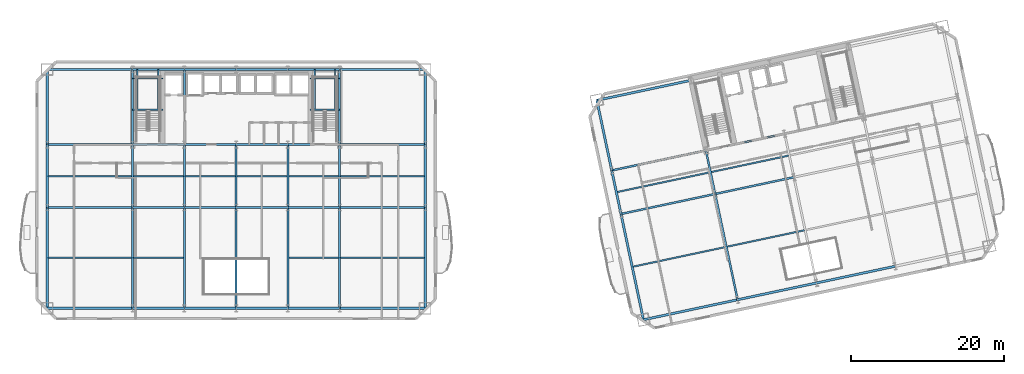
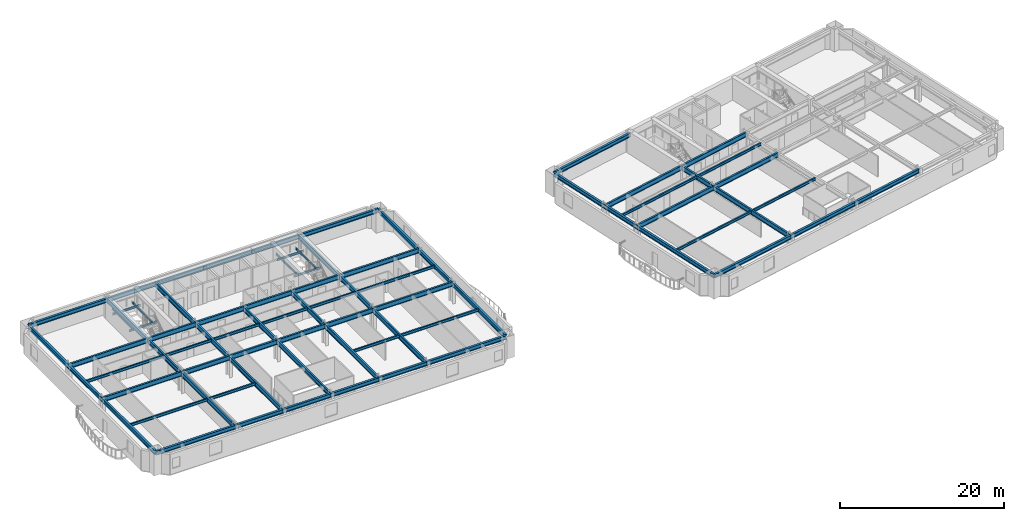
# One storey, part 3 of 15: 78 beams.
"""IFC4 building model written with IfcOpenShell, lengths in metres."""

from ifc_helpers import new_model, si_unit, direction, frame, origin, origin_2d, place, context, subcontext, project, spatial, i_section, extrude, material, material_profile, profile_set, type_object, element, save


model = new_model("IFC4")

# Units and contexts
model_context = context("Model", 3, precision=1e-05, world=origin(), true_north=direction((0.0, 1.0)))
body_context = subcontext(model_context, "Body", "Model", "MODEL_VIEW")
ifc_project = project(units=[si_unit("LENGTHUNIT", "METRE"), si_unit("AREAUNIT", "SQUARE_METRE"), si_unit("VOLUMEUNIT", "CUBIC_METRE"), si_unit("PLANEANGLEUNIT", "RADIAN"), si_unit("MASSUNIT", "GRAM", prefix="KILO")], contexts=[model_context])

# Site, building, storey
site_placement = place(None, origin())
site = spatial("IfcSite", under=ifc_project, at=site_placement, CompositionType="ELEMENT")
building_placement = place(site_placement, origin())
building = spatial("IfcBuilding", under=site, at=building_placement, Name="Haevon Station Towers", CompositionType="ELEMENT")
storey_placement = place(building_placement, frame((0.0, 0.0, 63.60009765625)))
storey = spatial("IfcBuildingStorey", under=building, at=storey_placement, Name="L16", CompositionType="ELEMENT", Elevation=63.60009765625)

# Beams
ifc_material = material(Name="Steel S355", Category="steel")
ifc_material_profile_1 = material_profile(ifc_material, i_section(OverallWidth=0.25, OverallDepth=0.699951171875, WebThickness=0.012939453125, FlangeThickness=0.02392578125, at=origin_2d()), Name="H-700x250x13x24")
ifc_profile_set_1 = profile_set([ifc_material_profile_1], Name="Steel S355")
beam_type_1 = type_object("IfcBeamType", Name="BM-G700", PredefinedType="BEAM", material=ifc_profile_set_1)
beam_1_placement = place(storey_placement, frame((12.85009765625, 30.0, 2.699951171875), z_axis=(1.0, 0.0, 0.0), x_axis=(0.0, 1.0, 0.0)))
element("IfcBeam", 1, at=beam_1_placement, inside=storey, type_object=beam_type_1, Name="BM-T1U-L16-02-01", PredefinedType="BEAM", context=body_context, shape_type="SweptSolid", body=[
    extrude(i_section(OverallWidth=0.25, OverallDepth=0.699951171875, WebThickness=0.012939453125, FlangeThickness=0.02392578125, at=origin_2d()), origin(), (0.0, 0.0, 1.0), 11.14990234375),
])
for number, where, z_axis, x_axis, name in (
    (2, (24.0, 30.0, 2.699951171875), (1.0, 0.0, 0.0), (0.0, 1.0, 0.0), "BM-T1U-L16-02-02"),
    (3, (30.75, 30.0, 2.699951171875), (1.0, 0.0, 0.0), (0.0, 1.0, 0.0), "BM-T1U-L16-02-03"),
    (4, (37.5, 30.0, 2.699951171875), (1.0, 0.0, 0.0), (0.0, 1.0, 0.0), "BM-T1U-L16-02-04"),
    (5, (44.25, 30.0, 2.699951171875), (1.0, 0.0, 0.0), (0.0, 1.0, 0.0), "BM-T1U-L16-02-05"),
):
    element("IfcBeam", number, at=place(storey_placement, frame(where, z_axis=z_axis, x_axis=x_axis)), inside=storey, type_object=beam_type_1, Name=name, PredefinedType="BEAM", context=body_context, shape_type="SweptSolid", body=[
        extrude(i_section(OverallWidth=0.25, OverallDepth=0.699951171875, WebThickness=0.012939453125, FlangeThickness=0.02392578125, at=origin_2d()), origin(), (0.0, 0.0, 1.0), 6.75),
    ])
for number, where, z_axis, x_axis, name in (
    (6, (51.0, 30.0, 2.699951171875), (1.0, 0.0, 0.0), (0.0, 1.0, 0.0), "BM-T1U-L16-02-06"),
    (7, (12.85009765625, 38.199951171875, 2.699951171875), (1.0, 0.0, 0.0), (0.0, 1.0, 0.0), "BM-T1U-L16-03-01"),
):
    element("IfcBeam", number, at=place(storey_placement, frame(where, z_axis=z_axis, x_axis=x_axis)), inside=storey, type_object=beam_type_1, Name=name, PredefinedType="BEAM", context=body_context, shape_type="SweptSolid", body=[
        extrude(i_section(OverallWidth=0.25, OverallDepth=0.699951171875, WebThickness=0.012939453125, FlangeThickness=0.02392578125, at=origin_2d()), origin(), (0.0, 0.0, 1.0), 11.14990234375),
    ])
for number, where, z_axis, x_axis, name in (
    (8, (24.0, 38.199951171875, 2.699951171875), (1.0, 0.0, 0.0), (0.0, 1.0, 0.0), "BM-T1U-L16-03-02"),
    (9, (30.75, 38.199951171875, 2.699951171875), (1.0, 0.0, 0.0), (0.0, 1.0, 0.0), "BM-T1U-L16-03-03"),
    (10, (37.5, 38.199951171875, 2.699951171875), (1.0, 0.0, 0.0), (0.0, 1.0, 0.0), "BM-T1U-L16-03-04"),
    (11, (44.25, 38.199951171875, 2.699951171875), (1.0, 0.0, 0.0), (0.0, 1.0, 0.0), "BM-T1U-L16-03-05"),
):
    element("IfcBeam", number, at=place(storey_placement, frame(where, z_axis=z_axis, x_axis=x_axis)), inside=storey, type_object=beam_type_1, Name=name, PredefinedType="BEAM", context=body_context, shape_type="SweptSolid", body=[
        extrude(i_section(OverallWidth=0.25, OverallDepth=0.699951171875, WebThickness=0.012939453125, FlangeThickness=0.02392578125, at=origin_2d()), origin(), (0.0, 0.0, 1.0), 6.75),
    ])
beam_2_placement = place(storey_placement, frame((51.0, 38.199951171875, 2.699951171875), z_axis=(1.0, 0.0, 0.0), x_axis=(0.0, 1.0, 0.0)))
element("IfcBeam", 12, at=beam_2_placement, inside=storey, type_object=beam_type_1, Name="BM-T1U-L16-03-06", PredefinedType="BEAM", context=body_context, shape_type="SweptSolid", body=[
    extrude(i_section(OverallWidth=0.25, OverallDepth=0.699951171875, WebThickness=0.012939453125, FlangeThickness=0.02392578125, at=origin_2d()), origin(), (0.0, 0.0, 1.0), 11.14990234375),
])
beam_3_placement = place(storey_placement, frame((24.0, 16.85009765625, 2.699951171875), z_axis=(0.0, 1.0, 0.0), x_axis=(-1.0, 0.0, 0.0)))
element("IfcBeam", 13, at=beam_3_placement, inside=storey, type_object=beam_type_1, Name="BM-T1V-L16-02-01", PredefinedType="BEAM", context=body_context, shape_type="SweptSolid", body=[
    extrude(i_section(OverallWidth=0.25, OverallDepth=0.699951171875, WebThickness=0.012939453125, FlangeThickness=0.02392578125, at=origin_2d()), origin(), (0.0, 0.0, 1.0), 13.14990234375),
])
beam_4_placement = place(storey_placement, frame((24.0, 30.0, 2.699951171875), z_axis=(0.0, 1.0, 0.0), x_axis=(-1.0, 0.0, 0.0)))
element("IfcBeam", 14, at=beam_4_placement, inside=storey, type_object=beam_type_1, Name="BM-T1V-L16-02-02", PredefinedType="BEAM", context=body_context, shape_type="SweptSolid", body=[
    extrude(i_section(OverallWidth=0.25, OverallDepth=0.699951171875, WebThickness=0.012939453125, FlangeThickness=0.02392578125, at=origin_2d()), origin(), (0.0, 0.0, 1.0), 8.199951171875),
])
beam_5_placement = place(storey_placement, frame((24.0, 38.199951171875, 2.699951171875), z_axis=(0.0, 1.0, 0.0), x_axis=(-1.0, 0.0, 0.0)))
element("IfcBeam", 15, at=beam_5_placement, inside=storey, type_object=beam_type_1, Name="BM-T1V-L16-02-03", PredefinedType="BEAM", context=body_context, shape_type="SweptSolid", body=[
    extrude(i_section(OverallWidth=0.25, OverallDepth=0.699951171875, WebThickness=0.012939453125, FlangeThickness=0.02392578125, at=origin_2d()), origin(), (0.0, 0.0, 1.0), 9.800048828125),
])
beam_6_placement = place(storey_placement, frame((30.75, 16.85009765625, 2.699951171875), z_axis=(0.0, 1.0, 0.0), x_axis=(-1.0, 0.0, 0.0)))
element("IfcBeam", 16, at=beam_6_placement, inside=storey, type_object=beam_type_1, Name="BM-T1V-L16-03-01", PredefinedType="BEAM", context=body_context, shape_type="SweptSolid", body=[
    extrude(i_section(OverallWidth=0.25, OverallDepth=0.699951171875, WebThickness=0.012939453125, FlangeThickness=0.02392578125, at=origin_2d()), origin(), (0.0, 0.0, 1.0), 13.14990234375),
])
beam_7_placement = place(storey_placement, frame((30.75, 30.0, 2.699951171875), z_axis=(0.0, 1.0, 0.0), x_axis=(-1.0, 0.0, 0.0)))
element("IfcBeam", 17, at=beam_7_placement, inside=storey, type_object=beam_type_1, Name="BM-T1V-L16-03-02", PredefinedType="BEAM", context=body_context, shape_type="SweptSolid", body=[
    extrude(i_section(OverallWidth=0.25, OverallDepth=0.699951171875, WebThickness=0.012939453125, FlangeThickness=0.02392578125, at=origin_2d()), origin(), (0.0, 0.0, 1.0), 8.199951171875),
])
beam_8_placement = place(storey_placement, frame((30.75, 38.199951171875, 2.699951171875), z_axis=(0.0, 1.0, 0.0), x_axis=(-1.0, 0.0, 0.0)))
element("IfcBeam", 18, at=beam_8_placement, inside=storey, type_object=beam_type_1, Name="BM-T1V-L16-03-03", PredefinedType="BEAM", context=body_context, shape_type="SweptSolid", body=[
    extrude(i_section(OverallWidth=0.25, OverallDepth=0.699951171875, WebThickness=0.012939453125, FlangeThickness=0.02392578125, at=origin_2d()), origin(), (0.0, 0.0, 1.0), 9.800048828125),
])
beam_9_placement = place(storey_placement, frame((37.5, 16.85009765625, 2.699951171875), z_axis=(0.0, 1.0, 0.0), x_axis=(-1.0, 0.0, 0.0)))
element("IfcBeam", 19, at=beam_9_placement, inside=storey, type_object=beam_type_1, Name="BM-T1V-L16-04-01", PredefinedType="BEAM", context=body_context, shape_type="SweptSolid", body=[
    extrude(i_section(OverallWidth=0.25, OverallDepth=0.699951171875, WebThickness=0.012939453125, FlangeThickness=0.02392578125, at=origin_2d()), origin(), (0.0, 0.0, 1.0), 13.14990234375),
])
beam_10_placement = place(storey_placement, frame((37.5, 30.0, 2.699951171875), z_axis=(0.0, 1.0, 0.0), x_axis=(-1.0, 0.0, 0.0)))
element("IfcBeam", 20, at=beam_10_placement, inside=storey, type_object=beam_type_1, Name="BM-T1V-L16-04-02", PredefinedType="BEAM", context=body_context, shape_type="SweptSolid", body=[
    extrude(i_section(OverallWidth=0.25, OverallDepth=0.699951171875, WebThickness=0.012939453125, FlangeThickness=0.02392578125, at=origin_2d()), origin(), (0.0, 0.0, 1.0), 8.199951171875),
])
beam_11_placement = place(storey_placement, frame((44.25, 16.85009765625, 2.699951171875), z_axis=(0.0, 1.0, 0.0), x_axis=(-1.0, 0.0, 0.0)))
element("IfcBeam", 21, at=beam_11_placement, inside=storey, type_object=beam_type_1, Name="BM-T1V-L16-05-01", PredefinedType="BEAM", context=body_context, shape_type="SweptSolid", body=[
    extrude(i_section(OverallWidth=0.25, OverallDepth=0.699951171875, WebThickness=0.012939453125, FlangeThickness=0.02392578125, at=origin_2d()), origin(), (0.0, 0.0, 1.0), 13.14990234375),
])
beam_12_placement = place(storey_placement, frame((44.25, 30.0, 2.699951171875), z_axis=(0.0, 1.0, 0.0), x_axis=(-1.0, 0.0, 0.0)))
element("IfcBeam", 22, at=beam_12_placement, inside=storey, type_object=beam_type_1, Name="BM-T1V-L16-05-02", PredefinedType="BEAM", context=body_context, shape_type="SweptSolid", body=[
    extrude(i_section(OverallWidth=0.25, OverallDepth=0.699951171875, WebThickness=0.012939453125, FlangeThickness=0.02392578125, at=origin_2d()), origin(), (0.0, 0.0, 1.0), 8.199951171875),
])
beam_13_placement = place(storey_placement, frame((51.0, 16.85009765625, 2.699951171875), z_axis=(0.0, 1.0, 0.0), x_axis=(-1.0, 0.0, 0.0)))
element("IfcBeam", 23, at=beam_13_placement, inside=storey, type_object=beam_type_1, Name="BM-T1V-L16-06-01", PredefinedType="BEAM", context=body_context, shape_type="SweptSolid", body=[
    extrude(i_section(OverallWidth=0.25, OverallDepth=0.699951171875, WebThickness=0.012939453125, FlangeThickness=0.02392578125, at=origin_2d()), origin(), (0.0, 0.0, 1.0), 13.14990234375),
])
beam_14_placement = place(storey_placement, frame((51.0, 30.0, 2.699951171875), z_axis=(0.0, 1.0, 0.0), x_axis=(-1.0, 0.0, 0.0)))
element("IfcBeam", 24, at=beam_14_placement, inside=storey, type_object=beam_type_1, Name="BM-T1V-L16-06-02", PredefinedType="BEAM", context=body_context, shape_type="SweptSolid", body=[
    extrude(i_section(OverallWidth=0.25, OverallDepth=0.699951171875, WebThickness=0.012939453125, FlangeThickness=0.02392578125, at=origin_2d()), origin(), (0.0, 0.0, 1.0), 8.199951171875),
])
beam_15_placement = place(storey_placement, frame((51.0, 38.199951171875, 2.699951171875), z_axis=(0.0, 1.0, 0.0), x_axis=(-1.0, 0.0, 0.0)))
element("IfcBeam", 25, at=beam_15_placement, inside=storey, type_object=beam_type_1, Name="BM-T1V-L16-06-03", PredefinedType="BEAM", context=body_context, shape_type="SweptSolid", body=[
    extrude(i_section(OverallWidth=0.25, OverallDepth=0.699951171875, WebThickness=0.012939453125, FlangeThickness=0.02392578125, at=origin_2d()), origin(), (0.0, 0.0, 1.0), 9.800048828125),
])
beam_16_placement = place(storey_placement, frame((87.682373046875, 29.159912109375, 2.699951171875), z_axis=(0.978150643069, 0.207897377242, 0.0), x_axis=(-0.207897377242, 0.978150643069, 0.0)))
element("IfcBeam", 26, at=beam_16_placement, inside=storey, type_object=beam_type_1, Name="BM-T2U-L16-02-01", PredefinedType="BEAM", context=body_context, shape_type="SweptSolid", body=[
    extrude(i_section(OverallWidth=0.25, OverallDepth=0.699951171875, WebThickness=0.012939453125, FlangeThickness=0.02392578125, at=origin_2d()), origin(), (0.0, 0.0, 1.0), 12.550048828125),
])
beam_17_placement = place(storey_placement, frame((99.958251953125, 31.76904296875, 2.699951171875), z_axis=(0.978146794194, 0.207915485254, 0.0), x_axis=(-0.207915485254, 0.978146794194, 0.0)))
element("IfcBeam", 27, at=beam_17_placement, inside=storey, type_object=beam_type_1, Name="BM-T2U-L16-02-02", PredefinedType="BEAM", context=body_context, shape_type="SweptSolid", body=[
    extrude(i_section(OverallWidth=0.25, OverallDepth=0.699951171875, WebThickness=0.012939453125, FlangeThickness=0.02392578125, at=origin_2d()), origin(), (0.0, 0.0, 1.0), 10.5),
])
beam_18_placement = place(storey_placement, frame((86.4765625, 34.8330078125, 2.699951171875), z_axis=(0.978146686984, 0.207915989628, 0.0), x_axis=(-0.207915989628, 0.978146686984, 0.0)))
element("IfcBeam", 28, at=beam_18_placement, inside=storey, type_object=beam_type_1, Name="BM-T2U-L16-03-01", PredefinedType="BEAM", context=body_context, shape_type="SweptSolid", body=[
    extrude(i_section(OverallWidth=0.25, OverallDepth=0.699951171875, WebThickness=0.012939453125, FlangeThickness=0.02392578125, at=origin_2d()), origin(), (0.0, 0.0, 1.0), 12.550048828125),
])
beam_19_placement = place(storey_placement, frame((98.75244140625, 37.4423828125, 2.699951171875), z_axis=(0.978146794194, 0.207915485254, 0.0), x_axis=(-0.207915485254, 0.978146794194, 0.0)))
element("IfcBeam", 29, at=beam_19_placement, inside=storey, type_object=beam_type_1, Name="BM-T2U-L16-03-02", PredefinedType="BEAM", context=body_context, shape_type="SweptSolid", body=[
    extrude(i_section(OverallWidth=0.25, OverallDepth=0.699951171875, WebThickness=0.012939453125, FlangeThickness=0.02392578125, at=origin_2d()), origin(), (0.0, 0.0, 1.0), 10.5),
])
beam_20_placement = place(storey_placement, frame((102.889892578125, 17.977294921875, 2.699951171875), z_axis=(-0.207919431961, 0.978145955271, 0.0), x_axis=(-0.978145955271, -0.207919431961, 0.0)))
element("IfcBeam", 30, at=beam_20_placement, inside=storey, type_object=beam_type_1, Name="BM-T2V-L16-02-01", PredefinedType="BEAM", context=body_context, shape_type="SweptSolid", body=[
    extrude(i_section(OverallWidth=0.25, OverallDepth=0.699951171875, WebThickness=0.012939453125, FlangeThickness=0.02392578125, at=origin_2d()), origin(), (0.0, 0.0, 1.0), 14.099853515625),
])
beam_21_placement = place(storey_placement, frame((99.958251953125, 31.76904296875, 2.699951171875), z_axis=(-0.207896009217, 0.97815093383, 0.0), x_axis=(-0.97815093383, -0.207896009217, 0.0)))
element("IfcBeam", 31, at=beam_21_placement, inside=storey, type_object=beam_type_1, Name="BM-T2V-L16-02-02", PredefinedType="BEAM", context=body_context, shape_type="SweptSolid", body=[
    extrude(i_section(OverallWidth=0.25, OverallDepth=0.699951171875, WebThickness=0.012939453125, FlangeThickness=0.02392578125, at=origin_2d()), origin(), (0.0, 0.0, 1.0), 5.800048828125),
])
ifc_material_profile_2 = material_profile(ifc_material, i_section(OverallWidth=0.199951171875, OverallDepth=0.39990234375, WebThickness=0.008056640625, FlangeThickness=0.012939453125, at=origin_2d()), Name="H-400x200x8x13")
ifc_profile_set_2 = profile_set([ifc_material_profile_2], Name="Steel S355")
beam_type_2 = type_object("IfcBeamType", Name="BM-J400", PredefinedType="JOIST", material=ifc_profile_set_2)
beam_22_placement = place(storey_placement, frame((12.9599609375, 23.425048828125, 2.849853515625), z_axis=(1.0, 0.0, 0.0), x_axis=(0.0, 1.0, 0.0)))
element("IfcBeam", 32, at=beam_22_placement, inside=storey, type_object=beam_type_2, Name="BM-T1J-L16-01-01", PredefinedType="JOIST", context=body_context, shape_type="SweptSolid", body=[
    extrude(i_section(OverallWidth=0.199951171875, OverallDepth=0.39990234375, WebThickness=0.008056640625, FlangeThickness=0.012939453125, at=origin_2d()), origin(), (0.0, 0.0, 1.0), 10.929931640625),
])
for number, where, z_axis, x_axis, name in (
    (33, (24.110107421875, 23.425048828125, 2.849853515625), (1.0, 0.0, 0.0), (0.0, 1.0, 0.0), "BM-T1J-L16-01-02"),
    (34, (44.360107421875, 23.425048828125, 2.849853515625), (1.0, 0.0, 0.0), (0.0, 1.0, 0.0), "BM-T1J-L16-01-05"),
):
    element("IfcBeam", number, at=place(storey_placement, frame(where, z_axis=z_axis, x_axis=x_axis)), inside=storey, type_object=beam_type_2, Name=name, PredefinedType="JOIST", context=body_context, shape_type="SweptSolid", body=[
        extrude(i_section(OverallWidth=0.199951171875, OverallDepth=0.39990234375, WebThickness=0.008056640625, FlangeThickness=0.012939453125, at=origin_2d()), origin(), (0.0, 0.0, 1.0), 6.52978515625),
    ])
for number, where, z_axis, x_axis, name in (
    (35, (51.110107421875, 23.425048828125, 2.849853515625), (1.0, 0.0, 0.0), (0.0, 1.0, 0.0), "BM-T1J-L16-01-06"),
    (36, (12.9599609375, 34.10009765625, 2.849853515625), (1.0, 0.0, 0.0), (0.0, 1.0, 0.0), "BM-T1J-L16-02-01"),
):
    element("IfcBeam", number, at=place(storey_placement, frame(where, z_axis=z_axis, x_axis=x_axis)), inside=storey, type_object=beam_type_2, Name=name, PredefinedType="JOIST", context=body_context, shape_type="SweptSolid", body=[
        extrude(i_section(OverallWidth=0.199951171875, OverallDepth=0.39990234375, WebThickness=0.008056640625, FlangeThickness=0.012939453125, at=origin_2d()), origin(), (0.0, 0.0, 1.0), 10.929931640625),
    ])
for number, where, z_axis, x_axis, name in (
    (37, (24.110107421875, 34.10009765625, 2.849853515625), (1.0, 0.0, 0.0), (0.0, 1.0, 0.0), "BM-T1J-L16-02-02"),
    (38, (30.860107421875, 34.10009765625, 2.849853515625), (1.0, 0.0, 0.0), (0.0, 1.0, 0.0), "BM-T1J-L16-02-03"),
    (39, (37.610107421875, 34.10009765625, 2.849853515625), (1.0, 0.0, 0.0), (0.0, 1.0, 0.0), "BM-T1J-L16-02-04"),
    (40, (44.360107421875, 34.10009765625, 2.849853515625), (1.0, 0.0, 0.0), (0.0, 1.0, 0.0), "BM-T1J-L16-02-05"),
):
    element("IfcBeam", number, at=place(storey_placement, frame(where, z_axis=z_axis, x_axis=x_axis)), inside=storey, type_object=beam_type_2, Name=name, PredefinedType="JOIST", context=body_context, shape_type="SweptSolid", body=[
        extrude(i_section(OverallWidth=0.199951171875, OverallDepth=0.39990234375, WebThickness=0.008056640625, FlangeThickness=0.012939453125, at=origin_2d()), origin(), (0.0, 0.0, 1.0), 6.52978515625),
    ])
beam_23_placement = place(storey_placement, frame((51.110107421875, 34.10009765625, 2.849853515625), z_axis=(1.0, 0.0, 0.0), x_axis=(0.0, 1.0, 0.0)))
element("IfcBeam", 41, at=beam_23_placement, inside=storey, type_object=beam_type_2, Name="BM-T1J-L16-02-06", PredefinedType="JOIST", context=body_context, shape_type="SweptSolid", body=[
    extrude(i_section(OverallWidth=0.199951171875, OverallDepth=0.39990234375, WebThickness=0.008056640625, FlangeThickness=0.012939453125, at=origin_2d()), origin(), (0.0, 0.0, 1.0), 10.929931640625),
])
beam_24_placement = place(storey_placement, frame((89.255859375, 22.286865234375, 2.849853515625), z_axis=(0.97814878519, 0.20790611831, 0.0), x_axis=(-0.20790611831, 0.97814878519, 0.0)))
element("IfcBeam", 42, at=beam_24_placement, inside=storey, type_object=beam_type_2, Name="BM-T2J-L16-01-01", PredefinedType="JOIST", context=body_context, shape_type="SweptSolid", body=[
    extrude(i_section(OverallWidth=0.199951171875, OverallDepth=0.39990234375, WebThickness=0.008056640625, FlangeThickness=0.012939453125, at=origin_2d()), origin(), (0.0, 0.0, 1.0), 12.330078125),
])
beam_25_placement = place(storey_placement, frame((101.531494140625, 24.89599609375, 2.849853515625), z_axis=(0.978145509903, 0.207921527161, 0.0), x_axis=(-0.207921527161, 0.978145509903, 0.0)))
element("IfcBeam", 43, at=beam_25_placement, inside=storey, type_object=beam_type_2, Name="BM-T2J-L16-01-02", PredefinedType="JOIST", context=body_context, shape_type="SweptSolid", body=[
    extrude(i_section(OverallWidth=0.199951171875, OverallDepth=0.39990234375, WebThickness=0.008056640625, FlangeThickness=0.012939453125, at=origin_2d()), origin(), (0.0, 0.0, 1.0), 10.280029296875),
])
beam_26_placement = place(storey_placement, frame((87.187255859375, 32.019287109375, 2.849853515625), z_axis=(0.978144758315, 0.207925062896, 0.0), x_axis=(-0.207925062896, 0.978144758315, 0.0)))
element("IfcBeam", 44, at=beam_26_placement, inside=storey, type_object=beam_type_2, Name="BM-T2J-L16-02-01", PredefinedType="JOIST", context=body_context, shape_type="SweptSolid", body=[
    extrude(i_section(OverallWidth=0.199951171875, OverallDepth=0.39990234375, WebThickness=0.008056640625, FlangeThickness=0.012939453125, at=origin_2d()), origin(), (0.0, 0.0, 1.0), 12.330078125),
])
beam_27_placement = place(storey_placement, frame((99.462890625, 34.628662109375, 2.849853515625), z_axis=(0.978150339653, 0.207898804801, 0.0), x_axis=(-0.207898804801, 0.978150339653, 0.0)))
element("IfcBeam", 45, at=beam_27_placement, inside=storey, type_object=beam_type_2, Name="BM-T2J-L16-02-02", PredefinedType="JOIST", context=body_context, shape_type="SweptSolid", body=[
    extrude(i_section(OverallWidth=0.199951171875, OverallDepth=0.39990234375, WebThickness=0.008056640625, FlangeThickness=0.012939453125, at=origin_2d()), origin(), (0.0, 0.0, 1.0), 10.280029296875),
])
ifc_material_profile_3 = material_profile(ifc_material, i_section(OverallWidth=0.14990234375, OverallDepth=0.300048828125, WebThickness=0.006591796875, FlangeThickness=0.009033203125, at=origin_2d()), Name="H-300x150x6.5x9")
ifc_profile_set_3 = profile_set([ifc_material_profile_3], Name="Steel S355")
beam_type_3 = type_object("IfcBeamType", Name="BM-LIN300", PredefinedType="LINTEL", material=ifc_profile_set_3)
for number, where, z_axis, x_axis, name in (
    (46, (24.0, 42.743896484375, 1.2998046875), (1.0, 0.0, 0.0), (0.0, 1.0, 0.0), "BM-ST1L-L16-1-S"),
    (47, (24.0, 46.820068359375, 1.2998046875), (1.0, 0.0, 0.0), (0.0, 1.0, 0.0), "BM-ST1L-L16-1-N"),
):
    element("IfcBeam", number, at=place(storey_placement, frame(where, z_axis=z_axis, x_axis=x_axis)), inside=storey, type_object=beam_type_3, Name=name, PredefinedType="LINTEL", context=body_context, shape_type="SweptSolid", body=[
        extrude(i_section(OverallWidth=0.14990234375, OverallDepth=0.300048828125, WebThickness=0.006591796875, FlangeThickness=0.009033203125, at=origin_2d()), origin(), (0.0, 0.0, 1.0), 3.949951171875),
    ])
for number, where, z_axis, x_axis, name in (
    (48, (24.60009765625, 42.743896484375, 1.2998046875), (0.0, 1.0, 0.0), (-1.0, 0.0, 0.0), "BM-ST1L-L16-1-W"),
    (49, (27.35009765625, 42.743896484375, 1.2998046875), (0.0, 1.0, 0.0), (-1.0, 0.0, 0.0), "BM-ST1L-L16-1-E"),
):
    element("IfcBeam", number, at=place(storey_placement, frame(where, z_axis=z_axis, x_axis=x_axis)), inside=storey, type_object=beam_type_3, Name=name, PredefinedType="LINTEL", context=body_context, shape_type="SweptSolid", body=[
        extrude(i_section(OverallWidth=0.14990234375, OverallDepth=0.300048828125, WebThickness=0.006591796875, FlangeThickness=0.009033203125, at=origin_2d()), origin(), (0.0, 0.0, 1.0), 5.256103515625),
    ])
for number, where, z_axis, x_axis, name in (
    (50, (47.14990234375, 42.743896484375, 1.2998046875), (1.0, 0.0, 0.0), (0.0, 1.0, 0.0), "BM-ST2L-L16-1-S"),
    (51, (47.14990234375, 46.820068359375, 1.2998046875), (1.0, 0.0, 0.0), (0.0, 1.0, 0.0), "BM-ST2L-L16-1-N"),
):
    element("IfcBeam", number, at=place(storey_placement, frame(where, z_axis=z_axis, x_axis=x_axis)), inside=storey, type_object=beam_type_3, Name=name, PredefinedType="LINTEL", context=body_context, shape_type="SweptSolid", body=[
        extrude(i_section(OverallWidth=0.14990234375, OverallDepth=0.300048828125, WebThickness=0.006591796875, FlangeThickness=0.009033203125, at=origin_2d()), origin(), (0.0, 0.0, 1.0), 3.85009765625),
    ])
for number, where, z_axis, x_axis, name in (
    (52, (47.75, 42.743896484375, 1.2998046875), (0.0, 1.0, 0.0), (-1.0, 0.0, 0.0), "BM-ST2L-L16-1-W"),
    (53, (50.39990234375, 42.743896484375, 1.2998046875), (0.0, 1.0, 0.0), (-1.0, 0.0, 0.0), "BM-ST2L-L16-1-E"),
):
    element("IfcBeam", number, at=place(storey_placement, frame(where, z_axis=z_axis, x_axis=x_axis)), inside=storey, type_object=beam_type_3, Name=name, PredefinedType="LINTEL", context=body_context, shape_type="SweptSolid", body=[
        extrude(i_section(OverallWidth=0.14990234375, OverallDepth=0.300048828125, WebThickness=0.006591796875, FlangeThickness=0.009033203125, at=origin_2d()), origin(), (0.0, 0.0, 1.0), 5.256103515625),
    ])
ifc_material_profile_4 = material_profile(ifc_material, i_section(OverallWidth=0.300048828125, OverallDepth=0.587890625, WebThickness=0.011962890625, FlangeThickness=0.02001953125, at=origin_2d()), Name="H-588x300x12x20")
ifc_profile_set_4 = profile_set([ifc_material_profile_4], Name="Steel S355")
beam_type_4 = type_object("IfcBeamType", Name="BM-SP588", PredefinedType="SPANDREL", material=ifc_profile_set_4)
beam_28_placement = place(storey_placement, frame((12.85009765625, 16.85009765625, 2.755859375), z_axis=(1.0, 0.0, 0.0), x_axis=(0.0, 1.0, 0.0)))
element("IfcBeam", 54, at=beam_28_placement, inside=storey, type_object=beam_type_4, Name="BM-T1U-L16-01-01", PredefinedType="SPANDREL", context=body_context, shape_type="SweptSolid", body=[
    extrude(i_section(OverallWidth=0.300048828125, OverallDepth=0.587890625, WebThickness=0.011962890625, FlangeThickness=0.02001953125, at=origin_2d()), origin(), (0.0, 0.0, 1.0), 11.14990234375),
])
for number, where, z_axis, x_axis, name in (
    (55, (24.0, 16.85009765625, 2.755859375), (1.0, 0.0, 0.0), (0.0, 1.0, 0.0), "BM-T1U-L16-01-02"),
    (56, (30.75, 16.85009765625, 2.755859375), (1.0, 0.0, 0.0), (0.0, 1.0, 0.0), "BM-T1U-L16-01-03"),
    (57, (37.5, 16.85009765625, 2.755859375), (1.0, 0.0, 0.0), (0.0, 1.0, 0.0), "BM-T1U-L16-01-04"),
    (58, (44.25, 16.85009765625, 2.755859375), (1.0, 0.0, 0.0), (0.0, 1.0, 0.0), "BM-T1U-L16-01-05"),
):
    element("IfcBeam", number, at=place(storey_placement, frame(where, z_axis=z_axis, x_axis=x_axis)), inside=storey, type_object=beam_type_4, Name=name, PredefinedType="SPANDREL", context=body_context, shape_type="SweptSolid", body=[
        extrude(i_section(OverallWidth=0.300048828125, OverallDepth=0.587890625, WebThickness=0.011962890625, FlangeThickness=0.02001953125, at=origin_2d()), origin(), (0.0, 0.0, 1.0), 6.75),
    ])
for number, where, z_axis, x_axis, name in (
    (59, (51.0, 16.85009765625, 2.755859375), (1.0, 0.0, 0.0), (0.0, 1.0, 0.0), "BM-T1U-L16-01-06"),
    (60, (12.85009765625, 48.0, 2.755859375), (1.0, 0.0, 0.0), (0.0, 1.0, 0.0), "BM-T1U-L16-04-01"),
):
    element("IfcBeam", number, at=place(storey_placement, frame(where, z_axis=z_axis, x_axis=x_axis)), inside=storey, type_object=beam_type_4, Name=name, PredefinedType="SPANDREL", context=body_context, shape_type="SweptSolid", body=[
        extrude(i_section(OverallWidth=0.300048828125, OverallDepth=0.587890625, WebThickness=0.011962890625, FlangeThickness=0.02001953125, at=origin_2d()), origin(), (0.0, 0.0, 1.0), 11.14990234375),
    ])
for number, where, z_axis, x_axis, name in (
    (61, (24.0, 48.0, 2.755859375), (1.0, 0.0, 0.0), (0.0, 1.0, 0.0), "BM-T1U-L16-04-02"),
    (62, (30.75, 48.0, 2.755859375), (1.0, 0.0, 0.0), (0.0, 1.0, 0.0), "BM-T1U-L16-04-03"),
    (63, (37.5, 48.0, 2.755859375), (1.0, 0.0, 0.0), (0.0, 1.0, 0.0), "BM-T1U-L16-04-04"),
    (64, (44.25, 48.0, 2.755859375), (1.0, 0.0, 0.0), (0.0, 1.0, 0.0), "BM-T1U-L16-04-05"),
):
    element("IfcBeam", number, at=place(storey_placement, frame(where, z_axis=z_axis, x_axis=x_axis)), inside=storey, type_object=beam_type_4, Name=name, PredefinedType="SPANDREL", context=body_context, shape_type="SweptSolid", body=[
        extrude(i_section(OverallWidth=0.300048828125, OverallDepth=0.587890625, WebThickness=0.011962890625, FlangeThickness=0.02001953125, at=origin_2d()), origin(), (0.0, 0.0, 1.0), 6.75),
    ])
beam_29_placement = place(storey_placement, frame((51.0, 48.0, 2.755859375), z_axis=(1.0, 0.0, 0.0), x_axis=(0.0, 1.0, 0.0)))
element("IfcBeam", 65, at=beam_29_placement, inside=storey, type_object=beam_type_4, Name="BM-T1U-L16-04-06", PredefinedType="SPANDREL", context=body_context, shape_type="SweptSolid", body=[
    extrude(i_section(OverallWidth=0.300048828125, OverallDepth=0.587890625, WebThickness=0.011962890625, FlangeThickness=0.02001953125, at=origin_2d()), origin(), (0.0, 0.0, 1.0), 11.14990234375),
])
beam_30_placement = place(storey_placement, frame((12.85009765625, 16.85009765625, 2.755859375), z_axis=(0.0, 1.0, 0.0), x_axis=(-1.0, 0.0, 0.0)))
element("IfcBeam", 66, at=beam_30_placement, inside=storey, type_object=beam_type_4, Name="BM-T1V-L16-01-01", PredefinedType="SPANDREL", context=body_context, shape_type="SweptSolid", body=[
    extrude(i_section(OverallWidth=0.300048828125, OverallDepth=0.587890625, WebThickness=0.011962890625, FlangeThickness=0.02001953125, at=origin_2d()), origin(), (0.0, 0.0, 1.0), 13.14990234375),
])
beam_31_placement = place(storey_placement, frame((12.85009765625, 30.0, 2.755859375), z_axis=(0.0, 1.0, 0.0), x_axis=(-1.0, 0.0, 0.0)))
element("IfcBeam", 67, at=beam_31_placement, inside=storey, type_object=beam_type_4, Name="BM-T1V-L16-01-02", PredefinedType="SPANDREL", context=body_context, shape_type="SweptSolid", body=[
    extrude(i_section(OverallWidth=0.300048828125, OverallDepth=0.587890625, WebThickness=0.011962890625, FlangeThickness=0.02001953125, at=origin_2d()), origin(), (0.0, 0.0, 1.0), 8.199951171875),
])
beam_32_placement = place(storey_placement, frame((12.85009765625, 38.199951171875, 2.755859375), z_axis=(0.0, 1.0, 0.0), x_axis=(-1.0, 0.0, 0.0)))
element("IfcBeam", 68, at=beam_32_placement, inside=storey, type_object=beam_type_4, Name="BM-T1V-L16-01-03", PredefinedType="SPANDREL", context=body_context, shape_type="SweptSolid", body=[
    extrude(i_section(OverallWidth=0.300048828125, OverallDepth=0.587890625, WebThickness=0.011962890625, FlangeThickness=0.02001953125, at=origin_2d()), origin(), (0.0, 0.0, 1.0), 9.800048828125),
])
beam_33_placement = place(storey_placement, frame((62.14990234375, 16.85009765625, 2.755859375), z_axis=(0.0, 1.0, 0.0), x_axis=(-1.0, 0.0, 0.0)))
element("IfcBeam", 69, at=beam_33_placement, inside=storey, type_object=beam_type_4, Name="BM-T1V-L16-07-01", PredefinedType="SPANDREL", context=body_context, shape_type="SweptSolid", body=[
    extrude(i_section(OverallWidth=0.300048828125, OverallDepth=0.587890625, WebThickness=0.011962890625, FlangeThickness=0.02001953125, at=origin_2d()), origin(), (0.0, 0.0, 1.0), 13.14990234375),
])
beam_34_placement = place(storey_placement, frame((62.14990234375, 30.0, 2.755859375), z_axis=(0.0, 1.0, 0.0), x_axis=(-1.0, 0.0, 0.0)))
element("IfcBeam", 70, at=beam_34_placement, inside=storey, type_object=beam_type_4, Name="BM-T1V-L16-07-02", PredefinedType="SPANDREL", context=body_context, shape_type="SweptSolid", body=[
    extrude(i_section(OverallWidth=0.300048828125, OverallDepth=0.587890625, WebThickness=0.011962890625, FlangeThickness=0.02001953125, at=origin_2d()), origin(), (0.0, 0.0, 1.0), 8.199951171875),
])
beam_35_placement = place(storey_placement, frame((62.14990234375, 38.199951171875, 2.755859375), z_axis=(0.0, 1.0, 0.0), x_axis=(-1.0, 0.0, 0.0)))
element("IfcBeam", 71, at=beam_35_placement, inside=storey, type_object=beam_type_4, Name="BM-T1V-L16-07-03", PredefinedType="SPANDREL", context=body_context, shape_type="SweptSolid", body=[
    extrude(i_section(OverallWidth=0.300048828125, OverallDepth=0.587890625, WebThickness=0.011962890625, FlangeThickness=0.02001953125, at=origin_2d()), origin(), (0.0, 0.0, 1.0), 9.800048828125),
])
beam_36_placement = place(storey_placement, frame((90.614013671875, 15.367919921875, 2.755859375), z_axis=(0.978146686984, 0.207915989628, 0.0), x_axis=(-0.207915989628, 0.978146686984, 0.0)))
element("IfcBeam", 72, at=beam_36_placement, inside=storey, type_object=beam_type_4, Name="BM-T2U-L16-01-01", PredefinedType="SPANDREL", context=body_context, shape_type="SweptSolid", body=[
    extrude(i_section(OverallWidth=0.300048828125, OverallDepth=0.587890625, WebThickness=0.011962890625, FlangeThickness=0.02001953125, at=origin_2d()), origin(), (0.0, 0.0, 1.0), 12.550048828125),
])
for number, where, z_axis, x_axis, name in (
    (73, (102.889892578125, 17.977294921875, 2.755859375), (0.978146794194, 0.207915485254, 0.0), (-0.207915485254, 0.978146794194, 0.0), "BM-T2U-L16-01-02"),
    (74, (113.160400390625, 20.160400390625, 2.755859375), (0.978146794194, 0.207915485254, 0.0), (-0.207915485254, 0.978146794194, 0.0), "BM-T2U-L16-01-03"),
):
    element("IfcBeam", number, at=place(storey_placement, frame(where, z_axis=z_axis, x_axis=x_axis)), inside=storey, type_object=beam_type_4, Name=name, PredefinedType="SPANDREL", context=body_context, shape_type="SweptSolid", body=[
        extrude(i_section(OverallWidth=0.300048828125, OverallDepth=0.587890625, WebThickness=0.011962890625, FlangeThickness=0.02001953125, at=origin_2d()), origin(), (0.0, 0.0, 1.0), 10.5),
    ])
beam_37_placement = place(storey_placement, frame((84.53271484375, 43.978759765625, 2.755859375), z_axis=(0.978145846015, 0.207919945948, 0.0), x_axis=(-0.207919945948, 0.978145846015, 0.0)))
element("IfcBeam", 75, at=beam_37_placement, inside=storey, type_object=beam_type_4, Name="BM-T2U-L16-04-01", PredefinedType="SPANDREL", context=body_context, shape_type="SweptSolid", body=[
    extrude(i_section(OverallWidth=0.300048828125, OverallDepth=0.587890625, WebThickness=0.011962890625, FlangeThickness=0.02001953125, at=origin_2d()), origin(), (0.0, 0.0, 1.0), 12.5498046875),
])
beam_38_placement = place(storey_placement, frame((90.614013671875, 15.367919921875, 2.755859375), z_axis=(-0.207915910556, 0.978146703791, 0.0), x_axis=(-0.978146703791, -0.207915910556, 0.0)))
element("IfcBeam", 76, at=beam_38_placement, inside=storey, type_object=beam_type_4, Name="BM-T2V-L16-01-01", PredefinedType="SPANDREL", context=body_context, shape_type="SweptSolid", body=[
    extrude(i_section(OverallWidth=0.300048828125, OverallDepth=0.587890625, WebThickness=0.011962890625, FlangeThickness=0.02001953125, at=origin_2d()), origin(), (0.0, 0.0, 1.0), 14.10009765625),
])
beam_39_placement = place(storey_placement, frame((87.682373046875, 29.159912109375, 2.755859375), z_axis=(-0.207904569273, 0.978149114438, 0.0), x_axis=(-0.978149114438, -0.207904569273, 0.0)))
element("IfcBeam", 77, at=beam_39_placement, inside=storey, type_object=beam_type_4, Name="BM-T2V-L16-01-02", PredefinedType="SPANDREL", context=body_context, shape_type="SweptSolid", body=[
    extrude(i_section(OverallWidth=0.300048828125, OverallDepth=0.587890625, WebThickness=0.011962890625, FlangeThickness=0.02001953125, at=origin_2d()), origin(), (0.0, 0.0, 1.0), 5.7998046875),
])
beam_40_placement = place(storey_placement, frame((86.4765625, 34.8330078125, 2.755859375), z_axis=(-0.207897167074, 0.978150687738, 0.0), x_axis=(-0.978150687738, -0.207897167074, 0.0)))
element("IfcBeam", 78, at=beam_40_placement, inside=storey, type_object=beam_type_4, Name="BM-T2V-L16-01-03", PredefinedType="SPANDREL", context=body_context, shape_type="SweptSolid", body=[
    extrude(i_section(OverallWidth=0.300048828125, OverallDepth=0.587890625, WebThickness=0.011962890625, FlangeThickness=0.02001953125, at=origin_2d()), origin(), (0.0, 0.0, 1.0), 9.35009765625),
])

save(model, "model.ifc")
